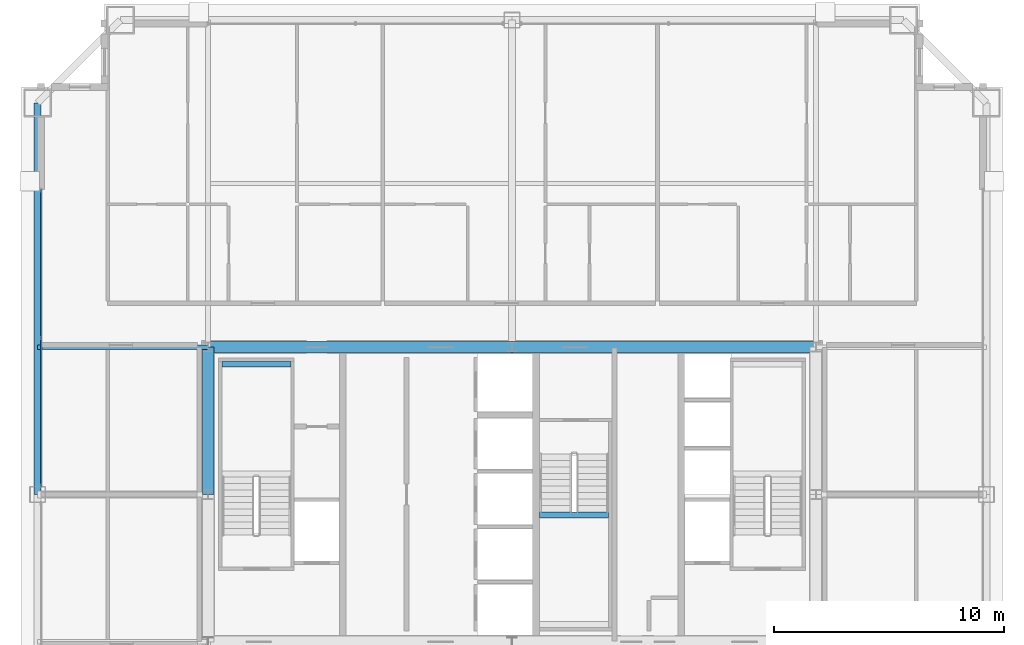
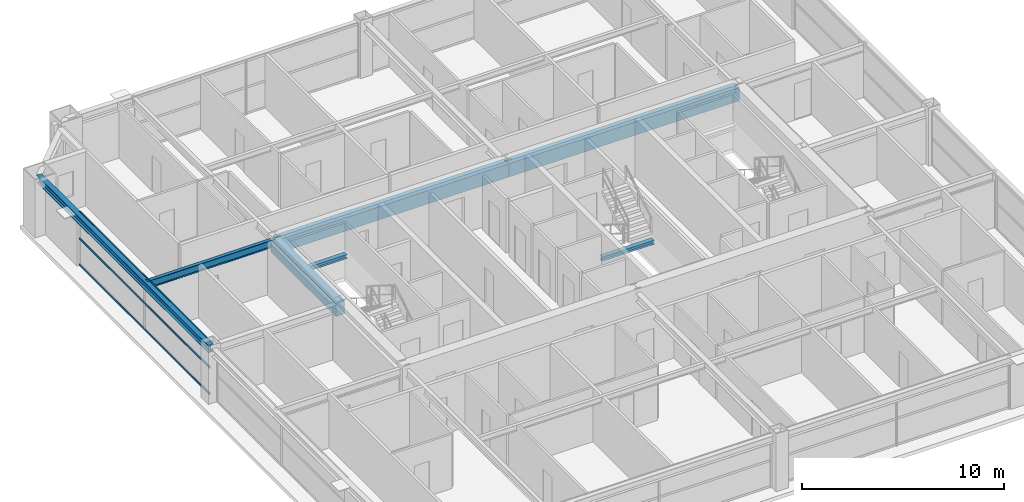
# One storey, part 14 of 37: 7 beams, 3 members, 1 element without a shape of its own.
"""IFC4 building model written with IfcOpenShell, lengths in metres."""

from ifc_helpers import new_model, si_unit, direction, frame, origin, origin_2d, place, context, subcontext, project, spatial, rectangle, hollow_rectangle, i_section, extrude, source, transform, mapped, material, layer, layer_set, material_profile, profile_set, type_object, element, aggregate, save


model = new_model("IFC4")

# Units and contexts
model_context = context("Model", 3, precision=1e-05, world=origin(), true_north=direction((0.0, 1.0)))
body_context = subcontext(model_context, "Body", "Model", "MODEL_VIEW")
ifc_project = project(units=[si_unit("LENGTHUNIT", "METRE"), si_unit("AREAUNIT", "SQUARE_METRE"), si_unit("VOLUMEUNIT", "CUBIC_METRE"), si_unit("PLANEANGLEUNIT", "RADIAN"), si_unit("MASSUNIT", "GRAM", prefix="KILO"), si_unit("THERMODYNAMICTEMPERATUREUNIT", "KELVIN"), si_unit("POWERUNIT", "WATT")], contexts=[model_context])

# Site, building, storey
site_placement = place(None, origin())
site = spatial("IfcSite", under=ifc_project, at=site_placement, CompositionType="ELEMENT")
building_placement = place(site_placement, origin())
building = spatial("IfcBuilding", under=site, at=building_placement, Name="Yuzanri Waterfront Tower", CompositionType="ELEMENT")
storey_placement = place(building_placement, frame((0.0, 0.0, 252.10009765625)))
storey = spatial("IfcBuildingStorey", under=building, at=storey_placement, Name="L67", CompositionType="ELEMENT", Elevation=252.10009765625)

# Beams
ifc_material_1 = material(Name="Concrete C50", Category="concrete")
ifc_material_profile_1 = material_profile(ifc_material_1, rectangle(XDim=0.5, YDim=0.800048828125, at=origin_2d()), Name="RC 500x800")
ifc_profile_set_1 = profile_set([ifc_material_profile_1], Name="Concrete C50")
beam_type_1 = type_object("IfcBeamType", Name="Core Coupling Lintel Concrete C50 500x800", PredefinedType="LINTEL", material=ifc_profile_set_1)
shared_shape_1 = source(origin(), body_context, "Body", "SweptSolid", [
    extrude(rectangle(XDim=0.5, YDim=0.800048828125, at=origin_2d()), origin(), (0.0, 0.0, 1.0), 13.199951171875),
])
for number, where, z_axis, x_axis, name in (
    (1, (23.800048828125, 32.199951171875, 2.8798828125), (1.0, 0.0, 0.0), (0.0, 1.0, 0.0), "L67 Core Tie Beam CN1"),
    (2, (37.0, 32.199951171875, 2.8798828125), (1.0, 0.0, 0.0), (0.0, 1.0, 0.0), "L67 Core Tie Beam CN2"),
):
    element("IfcBeam", number, at=place(storey_placement, frame(where, z_axis=z_axis, x_axis=x_axis)), inside=storey, type_object=beam_type_1, Name=name, PredefinedType="LINTEL", context=body_context, shape_type="MappedRepresentation", body=[
        mapped(shared_shape_1, transform((0.0, 0.0, 0.0), scale=1.0)),
    ])
shared_shape_2 = source(origin(), body_context, "Body", "SweptSolid", [
    extrude(rectangle(XDim=0.5, YDim=0.800048828125, at=origin_2d()), origin(), (0.0, 0.0, 1.0), 6.39990234375),
])
beam_1_placement = place(storey_placement, frame((23.800048828125, 25.800048828125, 2.8798828125), z_axis=(0.0, 1.0, 0.0), x_axis=(-1.0, 0.0, 0.0)))
element("IfcBeam", 3, at=beam_1_placement, inside=storey, type_object=beam_type_1, Name="L67 Core Tie Beam CW2", PredefinedType="LINTEL", context=body_context, shape_type="MappedRepresentation", body=[
    mapped(shared_shape_2, transform((0.0, 0.0, 0.0), scale=1.0)),
])
ifc_material_2 = material(Name="Steel Q355B", Category="steel")
ifc_material_profile_2 = material_profile(ifc_material_2, i_section(OverallWidth=0.300048828125, OverallDepth=0.43994140625, WebThickness=0.010986328125, FlangeThickness=0.01806640625, at=origin_2d()), Name="HM 440x300x11x18")
ifc_profile_set_2 = profile_set([ifc_material_profile_2], Name="Steel Q355B")
beam_type_2 = type_object("IfcBeamType", Name="Perimeter Spandrel Q355B HM 440x300", PredefinedType="SPANDREL", material=ifc_profile_set_2)
shared_shape_3 = source(origin(), body_context, "Body", "SweptSolid", [
    extrude(i_section(OverallWidth=0.300048828125, OverallDepth=0.43994140625, WebThickness=0.010986328125, FlangeThickness=0.01806640625, at=origin_2d()), origin(), (0.0, 0.0, 1.0), 17.0),
])
beam_2_placement = place(storey_placement, frame((16.39990234375, 42.800048828125, 3.059814453125), z_axis=(0.0, -1.0, 0.0), x_axis=(1.0, 0.0, 0.0)))
element("IfcBeam", 4, at=beam_2_placement, inside=storey, type_object=beam_type_2, Name="L67 Perimeter Spandrel W3-W2", PredefinedType="SPANDREL", context=body_context, shape_type="MappedRepresentation", body=[
    mapped(shared_shape_3, transform((0.0, 0.0, 0.0), scale=1.0)),
])
ifc_material_3 = material(Name="Steel Q355B", Category="steel")
ifc_material_profile_3 = material_profile(ifc_material_3, i_section(OverallWidth=0.199951171875, OverallDepth=0.449951171875, WebThickness=0.009033203125, FlangeThickness=0.013916015625, at=origin_2d()), Name="HN 450x200x9x14")
ifc_profile_set_3 = profile_set([ifc_material_profile_3], Name="Steel Q355B")
beam_type_3 = type_object("IfcBeamType", Name="Secondary Floor Beam Q355B HN 450x200", PredefinedType="BEAM", material=ifc_profile_set_3)
shared_shape_4 = source(origin(), body_context, "Body", "SweptSolid", [
    extrude(i_section(OverallWidth=0.199951171875, OverallDepth=0.449951171875, WebThickness=0.009033203125, FlangeThickness=0.013916015625, at=origin_2d()), origin(), (0.0, 0.0, 1.0), 7.400146484375),
])
beam_3_placement = place(storey_placement, frame((23.800048828125, 32.199951171875, 3.054931640625), z_axis=(-1.0, 0.0, 0.0), x_axis=(0.0, -1.0, 0.0)))
element("IfcBeam", 5, at=beam_3_placement, inside=storey, type_object=beam_type_3, Name="L67 West-North Core Line Beam", PredefinedType="BEAM", context=body_context, shape_type="MappedRepresentation", body=[
    mapped(shared_shape_4, transform((0.0, 0.0, 0.0), scale=1.0)),
])

# Curtain wall, members
ifc_material_4 = material(Name="Anodized Architectural Bronze", Category="metal")
ifc_layer = layer(ifc_material_4, 0.159912109375)
ifc_layer_set = layer_set([ifc_layer], Name="Anodized Architectural Bronze")
curtain_wall_type = type_object("IfcCurtainWallType", Name="Anodized Bronze Mid-Rise Residential Acoustic Unitized Curtain Wall 7200", PredefinedType="NOTDEFINED", material=ifc_layer_set)
curtain_wall_placement = place(storey_placement, origin())
curtain_wall = element("IfcCurtainWall", 6, at=curtain_wall_placement, inside=storey, type_object=curtain_wall_type, Name="L67 Curtain Wall CW-L67-WR", PredefinedType="NOTDEFINED")
ifc_material_5 = material(Name="Anodized Architectural Bronze", Category="metal")
ifc_material_profile_4 = material_profile(ifc_material_5, hollow_rectangle(XDim=0.06494140625, YDim=0.1201171875, WallThickness=0.00341796875, at=origin_2d()), Name="CWT 65x120")
ifc_profile_set_4 = profile_set([ifc_material_profile_4], Name="Anodized Architectural Bronze")
member_type = type_object("IfcMemberType", Name="Anodized Bronze Secondary Curtain-Wall Transom 65x120", PredefinedType="USERDEFINED", material=ifc_profile_set_4)
shared_shape_5 = source(origin(), body_context, "Body", "SweptSolid", [
    extrude(hollow_rectangle(XDim=0.06494140625, YDim=0.1201171875, WallThickness=0.00341796875, at=origin_2d()), origin(), (0.0, 0.0, 1.0), 12.900146484375),
])
member_1_placement = place(storey_placement, frame((16.550048828125, 26.14990234375, 0.0498046875), z_axis=(0.0, 1.0, 0.0), x_axis=(-1.0, 0.0, 0.0)))
member_1 = element("IfcMember", 7, at=member_1_placement, type_object=member_type, Name="CW-L67-WR Transom 1", ObjectType="TRANSOM", PredefinedType="USERDEFINED", context=body_context, shape_type="MappedRepresentation", body=[
    mapped(shared_shape_5, transform((0.0, 0.0, 0.0), scale=1.0)),
])
member_2_placement = place(storey_placement, frame((16.550048828125, 26.14990234375, 1.639892578125), z_axis=(0.0, 1.0, 0.0), x_axis=(-1.0, 0.0, 0.0)))
member_2 = element("IfcMember", 8, at=member_2_placement, type_object=member_type, Name="CW-L67-WR Transom 2", ObjectType="TRANSOM", PredefinedType="USERDEFINED", context=body_context, shape_type="MappedRepresentation", body=[
    mapped(shared_shape_5, transform((0.0, 0.0, 0.0), scale=1.0)),
])
member_3_placement = place(storey_placement, frame((16.550048828125, 26.14990234375, 3.22998046875), z_axis=(0.0, 1.0, 0.0), x_axis=(-1.0, 0.0, 0.0)))
member_3 = element("IfcMember", 9, at=member_3_placement, type_object=member_type, Name="CW-L67-WR Transom 3", ObjectType="TRANSOM", PredefinedType="USERDEFINED", context=body_context, shape_type="MappedRepresentation", body=[
    mapped(shared_shape_5, transform((0.0, 0.0, 0.0), scale=1.0)),
])
aggregate(curtain_wall, [member_1, member_2, member_3])

# Beams
ifc_material_6 = material(Name="Steel Q355B", Category="steel")
ifc_material_profile_5 = material_profile(ifc_material_6, i_section(OverallWidth=0.25, OverallDepth=0.25, WebThickness=0.009033203125, FlangeThickness=0.013916015625, at=origin_2d()), Name="HW 250x250x9x14")
ifc_profile_set_5 = profile_set([ifc_material_profile_5], Name="Steel Q355B")
beam_type_4 = type_object("IfcBeamType", Name="Stair Landing Support Beam Q355B HW 250x250", PredefinedType="BEAM", material=ifc_profile_set_5)
shared_shape_6 = source(origin(), body_context, "Body", "SweptSolid", [
    extrude(i_section(OverallWidth=0.25, OverallDepth=0.25, WebThickness=0.009033203125, FlangeThickness=0.013916015625, at=origin_2d()), origin(), (0.0, 0.0, 1.0), 3.0),
])
for number, where, z_axis, x_axis, name in (
    (10, (24.39990234375, 31.449951171875, 1.4248046875), (1.0, 0.0, 0.0), (0.0, 1.0, 0.0), "L67 Stair Landing Support Beam ST-01-L67-L1-2"),
    (11, (38.199951171875, 24.909912109375, 1.4248046875), (1.0, 0.0, 0.0), (0.0, 1.0, 0.0), "L67 Stair Landing Support Beam ST-03-L67-L1-2"),
):
    element("IfcBeam", number, at=place(storey_placement, frame(where, z_axis=z_axis, x_axis=x_axis)), inside=storey, type_object=beam_type_4, Name=name, PredefinedType="BEAM", context=body_context, shape_type="MappedRepresentation", body=[
        mapped(shared_shape_6, transform((0.0, 0.0, 0.0), scale=1.0)),
    ])

save(model, "model.ifc")
